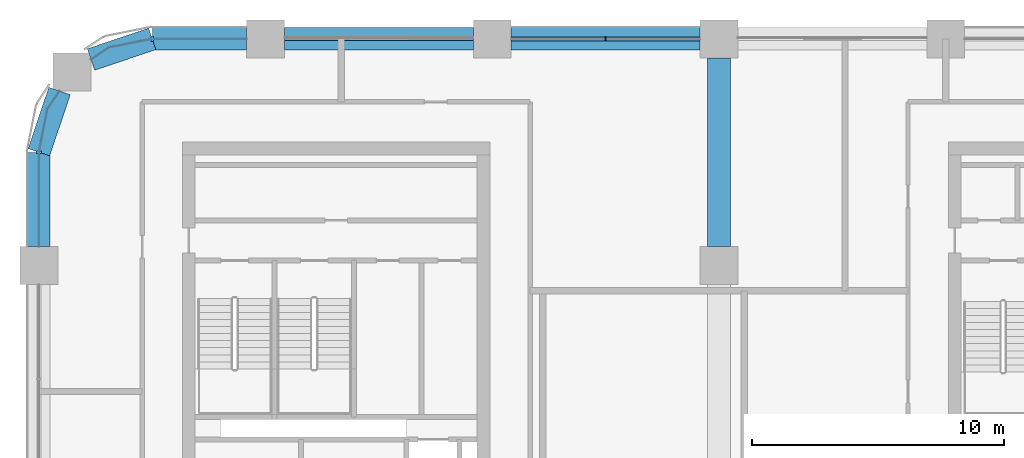
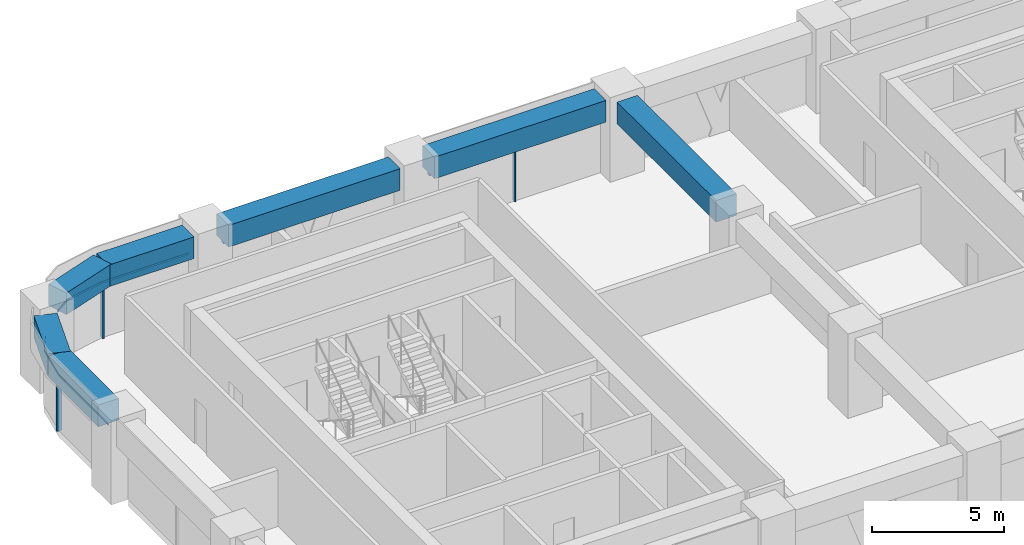
# One storey, part 4 of 14: 7 beams, 7 members, 4 elements without a shape of their own.
"""IFC4 building model written with IfcOpenShell, lengths in metres."""

from ifc_helpers import new_model, si_unit, direction, frame, origin, origin_2d, place, context, subcontext, project, spatial, polyline, rectangle, outline, extrude, material, material_profile, profile_set, type_object, element, aggregate, save


model = new_model("IFC4")

# Units and contexts
model_context = context("Model", 3, precision=1e-05, world=origin(), true_north=direction((0.0, 1.0)))
body_context = subcontext(model_context, "Body", "Model", "MODEL_VIEW")
ifc_project = project(units=[si_unit("LENGTHUNIT", "METRE"), si_unit("AREAUNIT", "SQUARE_METRE"), si_unit("VOLUMEUNIT", "CUBIC_METRE"), si_unit("PLANEANGLEUNIT", "RADIAN"), si_unit("MASSUNIT", "GRAM", prefix="KILO")], contexts=[model_context])

# Site, building, storey
site_placement = place(None, origin())
site = spatial("IfcSite", under=ifc_project, at=site_placement, CompositionType="ELEMENT")
building_placement = place(site_placement, origin())
building = spatial("IfcBuilding", under=site, at=building_placement, Name="Tessera Arch", CompositionType="ELEMENT")
storey_placement = place(building_placement, frame((0.0, 0.0, 138.800048828125)))
storey = spatial("IfcBuildingStorey", under=building, at=storey_placement, Name="L32", CompositionType="ELEMENT", Elevation=138.800048828125)

# Curtain wall, members
ifc_material_1 = material(Name="CW1 curtain wall")
curtain_wall_type_1 = type_object("IfcCurtainWallType", Name="CW1 curtain wall", PredefinedType="NOTDEFINED", material=ifc_material_1)
curtain_wall_1_placement = place(storey_placement, origin())
curtain_wall_1 = element("IfcCurtainWall", 1, at=curtain_wall_1_placement, inside=storey, type_object=curtain_wall_type_1, Name="CW1 curtain wall N54.0/3 L32", PredefinedType="NOTDEFINED")
ifc_material_2 = material(Name="Anodised aluminium pale metal", Category="aluminium")
ifc_material_profile_1 = material_profile(ifc_material_2, rectangle(XDim=0.159912109375, YDim=0.06005859375, at=origin_2d()), Name="AL 60x160")
ifc_profile_set_1 = profile_set([ifc_material_profile_1], Name="Anodised aluminium pale metal")
member_type_1 = type_object("IfcMemberType", Name="CW1 mullion", PredefinedType="MULLION", material=ifc_profile_set_1)
member_1_placement = place(storey_placement, frame((22.5, 54.0, 0.0), z_axis=(0.0, 0.0, 1.0), x_axis=(0.0, -1.0, 0.0)))
member_1 = element("IfcMember", 2, at=member_1_placement, type_object=member_type_1, Name="CW1 mullion N54.0/3 1", PredefinedType="MULLION", context=body_context, shape_type="SweptSolid", body=[
    extrude(rectangle(XDim=0.159912109375, YDim=0.06005859375, at=origin_2d()), origin(), (0.0, 0.0, 1.0), 2.5),
])
ifc_material_3 = material(Name="Anodised aluminium pale metal", Category="aluminium")
ifc_material_profile_2 = material_profile(ifc_material_3, rectangle(XDim=0.159912109375, YDim=0.10009765625, at=origin_2d()), Name="AL 160x100")
ifc_profile_set_2 = profile_set([ifc_material_profile_2], Name="Anodised aluminium pale metal")
member_type_2 = type_object("IfcMemberType", Name="CW1 transom", PredefinedType="USERDEFINED", material=ifc_profile_set_2)
member_2_placement = place(storey_placement, frame((26.25, 54.0, 2.550048828125), z_axis=(-1.0, 0.0, 0.0), x_axis=(0.0, -1.0, 0.0)))
member_2 = element("IfcMember", 3, at=member_2_placement, type_object=member_type_2, Name="CW1 transom N54.0/3 1.1", ObjectType="TRANSOM", PredefinedType="USERDEFINED", context=body_context, shape_type="SweptSolid", body=[
    extrude(rectangle(XDim=0.159912109375, YDim=0.10009765625, at=origin_2d()), origin(), (0.0, 0.0, 1.0), 7.5),
])
aggregate(curtain_wall_1, [member_1, member_2])

# Curtain wall, member
ifc_material_4 = material(Name="CW2 curtain wall")
curtain_wall_type_2 = type_object("IfcCurtainWallType", Name="CW2 curtain wall", PredefinedType="NOTDEFINED", material=ifc_material_4)
curtain_wall_2_placement = place(storey_placement, origin())
curtain_wall_2 = element("IfcCurtainWall", 4, at=curtain_wall_2_placement, inside=storey, type_object=curtain_wall_type_2, Name="CW2 curtain wall N54.0/5 L32", PredefinedType="NOTDEFINED")
ifc_material_5 = material(Name="Anodised aluminium pale metal", Category="aluminium")
ifc_material_profile_3 = material_profile(ifc_material_5, rectangle(XDim=0.199951171875, YDim=0.080078125, at=origin_2d()), Name="AL 80x200")
ifc_profile_set_3 = profile_set([ifc_material_profile_3], Name="Anodised aluminium pale metal")
member_type_3 = type_object("IfcMemberType", Name="CW2 mullion", PredefinedType="MULLION", material=ifc_profile_set_3)
member_3_placement = place(storey_placement, frame((4.5, 54.0, 0.0), z_axis=(0.0, 0.0, 1.0), x_axis=(0.0, -1.0, 0.0)))
member_3 = element("IfcMember", 5, at=member_3_placement, type_object=member_type_3, Name="CW2 mullion N54.0/5 1", PredefinedType="MULLION", context=body_context, shape_type="SweptSolid", body=[
    extrude(rectangle(XDim=0.199951171875, YDim=0.080078125, at=origin_2d()), origin(), (0.0, 0.0, 1.0), 2.5),
])

curtain_wall_3_placement = place(storey_placement, origin())
curtain_wall_3 = element("IfcCurtainWall", 6, at=curtain_wall_3_placement, inside=storey, type_object=curtain_wall_type_2, Name="CW2 curtain wall W0.27/0 L32", PredefinedType="NOTDEFINED")
member_4_placement = place(storey_placement, frame((0.0, 49.5, 0.0), z_axis=(0.0, 0.0, 1.0), x_axis=(1.0, 0.0, 0.0)))
member_4 = element("IfcMember", 7, at=member_4_placement, type_object=member_type_3, Name="CW2 mullion W0.27/0 1", PredefinedType="MULLION", context=body_context, shape_type="SweptSolid", body=[
    extrude(rectangle(XDim=0.199951171875, YDim=0.080078125, at=origin_2d()), origin(), (0.0, 0.0, 1.0), 2.5),
])

# Member
ifc_material_6 = material(Name="Anodised aluminium pale metal", Category="aluminium")
ifc_material_profile_4 = material_profile(ifc_material_6, rectangle(XDim=0.199951171875, YDim=0.10009765625, at=origin_2d()), Name="AL 200x100")
ifc_profile_set_4 = profile_set([ifc_material_profile_4], Name="Anodised aluminium pale metal")
member_type_4 = type_object("IfcMemberType", Name="CW2 transom", PredefinedType="USERDEFINED", material=ifc_profile_set_4)
member_5_placement = place(storey_placement, frame((0.0, 0.0, 2.5)))
member_5 = element("IfcMember", 8, at=member_5_placement, type_object=member_type_4, Name="CW2 transom N54.0/5 1", ObjectType="TRANSOM", PredefinedType="USERDEFINED", context=body_context, shape_type="SweptSolid", body=[
    extrude(outline(polyline([(4.5009765625, 53.989990234375), (8.25, 53.989990234375), (8.25, 54.010009765625), (4.4990234375, 54.010009765625), (2.77392578125, 53.6669921875), (2.0625, 53.19140625), (2.073486328125, 53.1748046875), (2.78173828125, 53.648193359375), (4.5009765625, 53.989990234375)])), origin(), (0.0, 0.0, 1.0), 0.099853515625),
])

aggregate(curtain_wall_2, [member_3, member_5])

member_6_placement = place(storey_placement, frame((0.0, 0.0, 2.5)))
member_6 = element("IfcMember", 9, at=member_6_placement, type_object=member_type_4, Name="CW2 transom W0.27/0 1", ObjectType="TRANSOM", PredefinedType="USERDEFINED", context=body_context, shape_type="SweptSolid", body=[
    extrude(outline(polyline([(0.351806640625, 51.21826171875), (0.8251953125, 51.926513671875), (0.80859375, 51.9375), (0.3330078125, 51.22607421875), (-0.010009765625, 49.5009765625), (-0.010009765625, 45.75), (0.010009765625, 45.75), (0.010009765625, 49.4990234375), (0.351806640625, 51.21826171875)])), origin(), (0.0, 0.0, 1.0), 0.099853515625),
])

aggregate(curtain_wall_3, [member_4, member_6])

# Curtain wall, member
ifc_material_7 = material(Name="CW3 curtain wall")
curtain_wall_type_3 = type_object("IfcCurtainWallType", Name="CW3 curtain wall", PredefinedType="NOTDEFINED", material=ifc_material_7)
curtain_wall_4_placement = place(storey_placement, origin())
curtain_wall_4 = element("IfcCurtainWall", 10, at=curtain_wall_4_placement, inside=storey, type_object=curtain_wall_type_3, Name="CW3 curtain wall N54.0/4 L32", PredefinedType="NOTDEFINED")
ifc_material_8 = material(Name="Anodised aluminium pale metal", Category="aluminium")
ifc_material_profile_5 = material_profile(ifc_material_8, rectangle(XDim=0.139892578125, YDim=0.10009765625, at=origin_2d()), Name="AL 140x100")
ifc_profile_set_5 = profile_set([ifc_material_profile_5], Name="Anodised aluminium pale metal")
member_type_5 = type_object("IfcMemberType", Name="CW3 transom", PredefinedType="USERDEFINED", material=ifc_profile_set_5)
member_7_placement = place(storey_placement, frame((17.25, 54.0, 2.550048828125), z_axis=(-1.0, 0.0, 0.0), x_axis=(0.0, -1.0, 0.0)))
member_7 = element("IfcMember", 11, at=member_7_placement, type_object=member_type_5, Name="CW3 transom N54.0/4 1.1", ObjectType="TRANSOM", PredefinedType="USERDEFINED", context=body_context, shape_type="SweptSolid", body=[
    extrude(rectangle(XDim=0.139892578125, YDim=0.10009765625, at=origin_2d()), origin(), (0.0, 0.0, 1.0), 7.5),
])
aggregate(curtain_wall_4, [member_7])

# Beams
ifc_material_9 = material(Name="Concrete C70/85", Category="concrete")
ifc_material_profile_6 = material_profile(ifc_material_9, rectangle(XDim=0.89990234375, YDim=1.0, at=origin_2d()), Name="RC spandrel beam 900 x 1000 Concrete C70/85")
ifc_profile_set_6 = profile_set([ifc_material_profile_6], Name="Concrete C70/85")
beam_type = type_object("IfcBeamType", Name="RC spandrel beam 900 x 1000 Concrete C70/85", PredefinedType="BEAM", material=ifc_profile_set_6)
for number, where, z_axis, x_axis, name in (
    (12, (26.25, 54.0, 3.099853515625), (-1.0, 0.0, 0.0), (0.0, -1.0, 0.0), "Spandrel beam L32 N54.0/3"),
    (13, (17.25, 54.0, 3.099853515625), (-1.0, 0.0, 0.0), (0.0, -1.0, 0.0), "Spandrel beam L32 N54.0/4"),
):
    element("IfcBeam", number, at=place(storey_placement, frame(where, z_axis=z_axis, x_axis=x_axis)), inside=storey, type_object=beam_type, Name=name, PredefinedType="BEAM", context=body_context, shape_type="SweptSolid", body=[
        extrude(rectangle(XDim=0.89990234375, YDim=1.0, at=origin_2d()), origin(), (0.0, 0.0, 1.0), 7.5),
    ])
beam_1_placement = place(storey_placement, frame((8.25, 54.0, 3.099853515625), z_axis=(-1.0, 0.0, 0.0), x_axis=(0.0, -1.0, 0.0)))
element("IfcBeam", 14, at=beam_1_placement, inside=storey, type_object=beam_type, Name="Spandrel beam L32 N54.0/5.1", PredefinedType="BEAM", context=body_context, shape_type="SweptSolid", body=[
    extrude(rectangle(XDim=0.89990234375, YDim=1.0, at=origin_2d()), origin(), (0.0, 0.0, 1.0), 3.75),
])
for number, where, z_axis, x_axis, name in (
    (15, (4.5, 54.0, 3.099853515625), (-0.947947973234, -0.31842525032, 0.0), (0.31842525032, -0.947947973234, 0.0), "Spandrel beam L32 N54.0/5.2"),
    (16, (0.81689453125, 51.931884765625, 3.099853515625), (-0.31842525032, -0.947947973234, 0.0), (0.947947973234, -0.31842525032, 0.0), "Spandrel beam L32 W0.27/0.1"),
):
    element("IfcBeam", number, at=place(storey_placement, frame(where, z_axis=z_axis, x_axis=x_axis)), inside=storey, type_object=beam_type, Name=name, PredefinedType="BEAM", context=body_context, shape_type="SweptSolid", body=[
        extrude(rectangle(XDim=0.89990234375, YDim=1.0, at=origin_2d()), origin(), (0.0, 0.0, 1.0), 2.5654296875),
    ])
beam_2_placement = place(storey_placement, frame((0.0, 49.5, 3.099853515625), z_axis=(0.0, -1.0, 0.0), x_axis=(1.0, 0.0, 0.0)))
element("IfcBeam", 17, at=beam_2_placement, inside=storey, type_object=beam_type, Name="Spandrel beam L32 W0.27/0.2", PredefinedType="BEAM", context=body_context, shape_type="SweptSolid", body=[
    extrude(rectangle(XDim=0.89990234375, YDim=1.0, at=origin_2d()), origin(), (0.0, 0.0, 1.0), 3.75),
])
beam_3_placement = place(storey_placement, frame((27.0, 45.75, 3.099853515625), z_axis=(0.0, 1.0, 0.0), x_axis=(-1.0, 0.0, 0.0)))
element("IfcBeam", 18, at=beam_3_placement, inside=storey, type_object=beam_type, Name="Interface beam L32 I0C4F-C4G", PredefinedType="BEAM", context=body_context, shape_type="SweptSolid", body=[
    extrude(rectangle(XDim=0.89990234375, YDim=1.0, at=origin_2d()), origin(), (0.0, 0.0, 1.0), 7.5),
])

save(model, "model.ifc")
